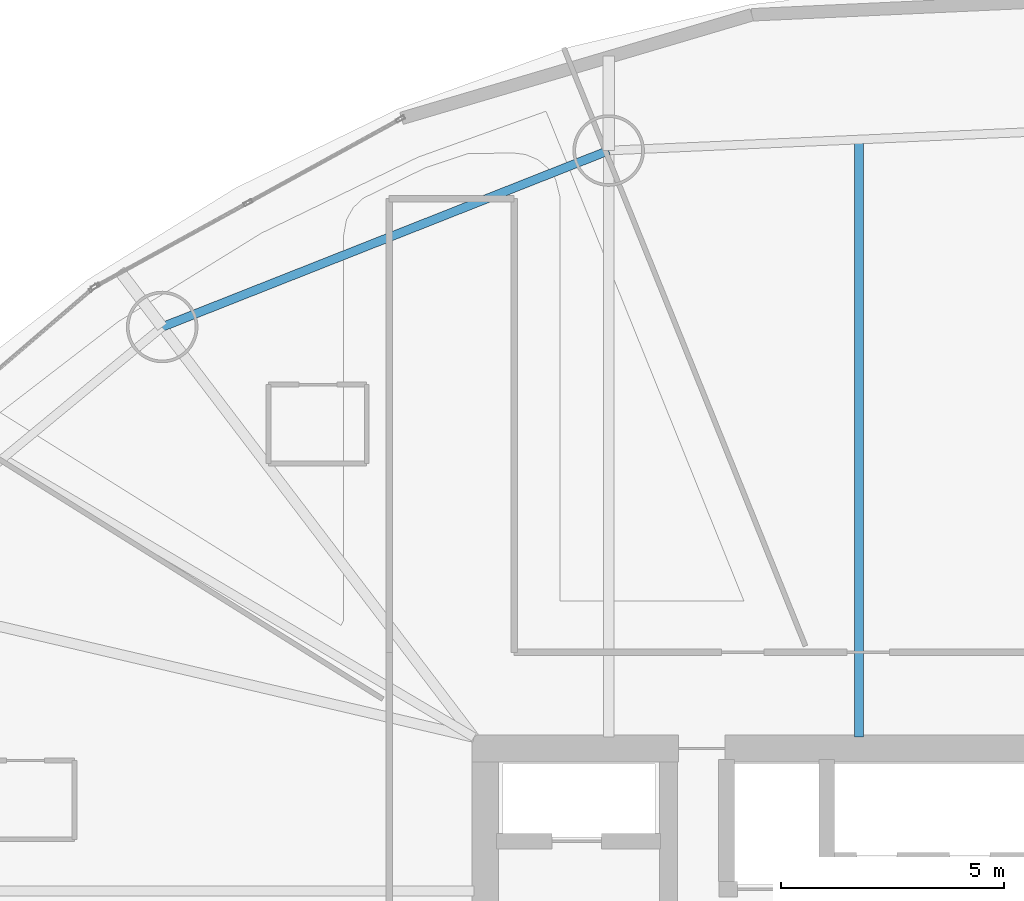
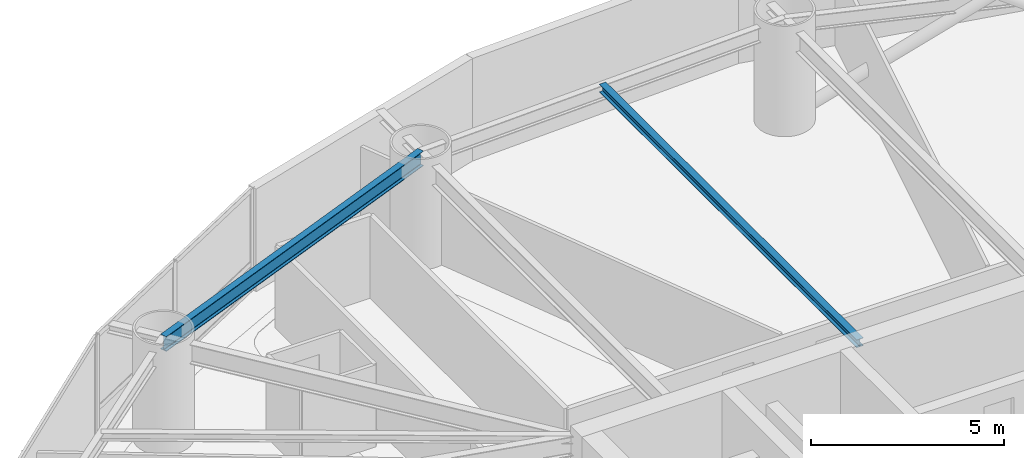
# One storey, part 16 of 25: 2 beams.
"""IFC4 building model written with IfcOpenShell, lengths in metres."""

from ifc_helpers import new_model, si_unit, direction, frame, origin, origin_2d, place, context, subcontext, project, spatial, i_section, extrude, material, material_profile, profile_set, type_object, element, save


model = new_model("IFC4")

# Units and contexts
model_context = context("Model", 3, precision=1e-05, world=origin(), true_north=direction((0.0, 1.0)))
body_context = subcontext(model_context, "Body", "Model", "MODEL_VIEW")
ifc_project = project(units=[si_unit("LENGTHUNIT", "METRE"), si_unit("AREAUNIT", "SQUARE_METRE"), si_unit("VOLUMEUNIT", "CUBIC_METRE"), si_unit("PLANEANGLEUNIT", "RADIAN"), si_unit("MASSUNIT", "GRAM", prefix="KILO")], contexts=[model_context])

# Site, building, storey
site_placement = place(None, origin())
site = spatial("IfcSite", under=ifc_project, at=site_placement, CompositionType="ELEMENT")
building_placement = place(site_placement, origin())
building = spatial("IfcBuilding", under=site, at=building_placement, Name="Bramvorn Convention Spire", CompositionType="ELEMENT")
storey_placement = place(building_placement, frame((0.0, 0.0, 55.39990234375)))
storey = spatial("IfcBuildingStorey", under=building, at=storey_placement, Name="L11", CompositionType="ELEMENT", Elevation=55.39990234375)

# Beams
ifc_material = material(Name="Steel CSA G40.21 Grade 350 (350W)", Category="steel")
ifc_material_profile_1 = material_profile(ifc_material, i_section(OverallWidth=0.201904296875, OverallDepth=0.2470703125, WebThickness=0.00732421875, FlangeThickness=0.010986328125, FilletRadius=0.011962890625, at=origin_2d()))
ifc_profile_set_1 = profile_set([ifc_material_profile_1], Name="Steel CSA G40.21 Grade 350 (350W) - W250X49")
beam_type_1 = type_object("IfcBeamType", Name="BM-W250X49", PredefinedType="JOIST", material=ifc_profile_set_1)
beam_1_placement = place(storey_placement, frame((35.361572265625, 33.449951171875, 3.126708984375), z_axis=(0.0, 1.0, 0.0), x_axis=(-1.0, 0.0, 0.0)))
element("IfcBeam", 1, at=beam_1_placement, inside=storey, type_object=beam_type_1, Name="L11 composite floor joist 05", PredefinedType="JOIST", context=body_context, shape_type="SweptSolid", body=[
    extrude(i_section(OverallWidth=0.201904296875, OverallDepth=0.2470703125, WebThickness=0.00732421875, FlangeThickness=0.010986328125, FilletRadius=0.011962890625, at=origin_2d()), origin(), (0.0, 0.0, 1.0), 13.372802734375),
])
ifc_material_profile_2 = material_profile(ifc_material, i_section(OverallWidth=0.194091796875, OverallDepth=0.468994140625, WebThickness=0.0126953125, FlangeThickness=0.0205078125, FilletRadius=0.01806640625, at=origin_2d()))
ifc_profile_set_2 = profile_set([ifc_material_profile_2], Name="Steel CSA G40.21 Grade 350 (350W) - W460X106")
beam_type_2 = type_object("IfcBeamType", Name="BM-W460X106", PredefinedType="SPANDREL", material=ifc_profile_set_2)
beam_2_placement = place(storey_placement, frame((29.76220703125, 46.57666015625, 3.015625), z_axis=(-0.93000950609, -0.367535465749, 0.0), x_axis=(0.367535465749, -0.93000950609, 0.0)))
element("IfcBeam", 2, at=beam_2_placement, inside=storey, type_object=beam_type_2, Name="L11 mega-column ring beam 06", PredefinedType="SPANDREL", context=body_context, shape_type="SweptSolid", body=[
    extrude(i_section(OverallWidth=0.194091796875, OverallDepth=0.468994140625, WebThickness=0.0126953125, FlangeThickness=0.0205078125, FilletRadius=0.01806640625, at=origin_2d()), origin(), (0.0, 0.0, 1.0), 10.74169921875),
])

save(model, "model.ifc")
